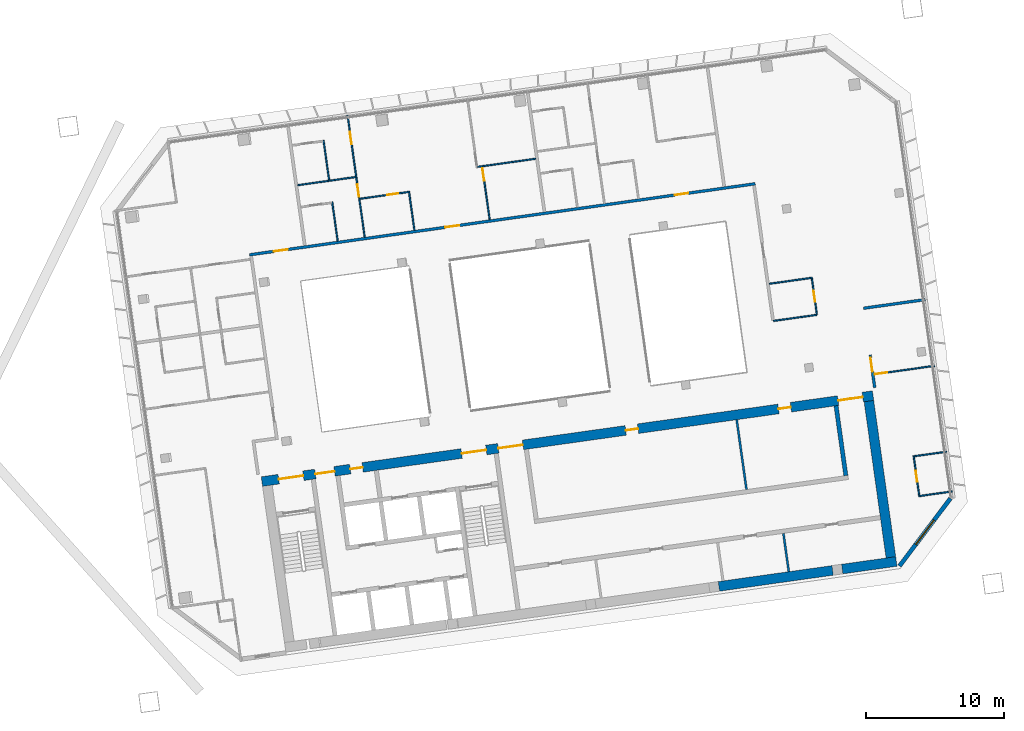
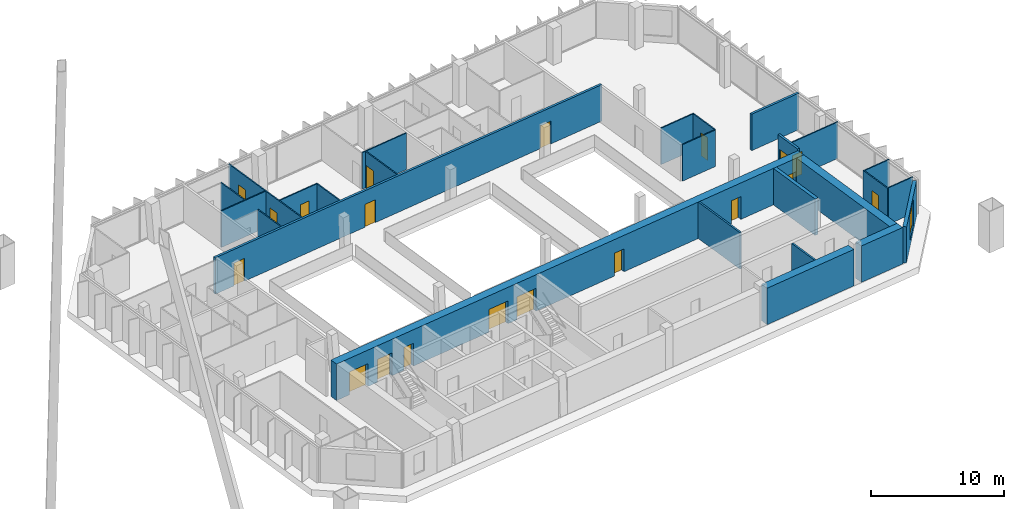
# One storey, part 22 of 26: 26 walls, 19 doors, 1 window, 20 openings.
"""IFC4 building model written with IfcOpenShell, lengths in metres."""

from ifc_helpers import new_model, si_unit, direction, frame, frame_2d, origin, place, context, subcontext, project, spatial, rectangle, extrude, material, layer, layer_set, type_object, element, fill, save


model = new_model("IFC4")

# Units and contexts
model_context = context("Model", 3, precision=1e-05, world=origin(), true_north=direction((0.0, 1.0)))
body_context = subcontext(model_context, "Body", "Model", "MODEL_VIEW")
ifc_project = project(units=[si_unit("LENGTHUNIT", "METRE"), si_unit("AREAUNIT", "SQUARE_METRE"), si_unit("VOLUMEUNIT", "CUBIC_METRE"), si_unit("PLANEANGLEUNIT", "RADIAN"), si_unit("MASSUNIT", "GRAM", prefix="KILO")], contexts=[model_context])

# Site, building, storey
site_placement = place(None, origin())
site = spatial("IfcSite", under=ifc_project, at=site_placement, CompositionType="ELEMENT")
building_placement = place(site_placement, origin())
building = spatial("IfcBuilding", under=site, at=building_placement, Name="Mirante Cascada Hotel Towers", CompositionType="ELEMENT")
storey_placement = place(building_placement, frame((0.0, 0.0, 203.0)))
storey = spatial("IfcBuildingStorey", under=building, at=storey_placement, Name="L48", CompositionType="ELEMENT", Elevation=203.0)

# Wall
ifc_material_1 = material(Name="Fire-rated plasterboard on metal studs")
ifc_layer_1 = layer(ifc_material_1, 0.2)
ifc_layer_set_1 = layer_set([ifc_layer_1], Name="Compartment wall 200 EI 120")
wall_type_1 = type_object("IfcWallType", Name="Compartment wall 200 EI 120", PredefinedType="PARTITIONING", material=ifc_layer_set_1)
wall_1_placement = place(storey_placement, frame((83.4745, 5.5153, 0.0), z_axis=(0.0, 0.0, 1.0), x_axis=(-0.9902705, -0.1391561, 0.0)))
element("IfcWall", 1, at=wall_1_placement, inside=storey, type_object=wall_type_1, Name="Wall 2-L48-10", PredefinedType="PARTITIONING", context=body_context, shape_type="SweptSolid", body=[
    extrude(rectangle(XDim=4.5, YDim=0.2, at=frame_2d((2.25, 0.0))), origin(), (0.0, 0.0, 1.0), 3.35),
])

# Wall, openings, doors
wall_2_placement = place(storey_placement, frame((71.1898, 13.8871, 0.0), z_axis=(0.0, 0.0, 1.0), x_axis=(-0.990268, -0.1391734, 0.0)))
wall_2 = element("IfcWall", 2, at=wall_2_placement, inside=storey, type_object=wall_type_1, Name="Wall 2-L48-18", PredefinedType="PARTITIONING", context=body_context, shape_type="SweptSolid", body=[
    extrude(rectangle(XDim=36.9, YDim=0.2, at=frame_2d((18.45, 0.0))), origin(), (0.0, 0.0, 1.0), 3.35),
])
opening_1_placement = place(wall_2_placement, frame((34.129, 0.0, 0.0)))
opening_1 = element("IfcOpeningElement", 3, at=opening_1_placement, cuts=wall_2, Name="Opening D2-L48-06", PredefinedType="OPENING", context=body_context, shape_type="SweptSolid", body=[
    extrude(rectangle(XDim=1.0, YDim=2.1, at=frame_2d((0.5, 1.05))), frame((0.0, 0.1, 0.0), z_axis=(0.0, -1.0, 0.0), x_axis=(1.0, 0.0, 0.0)), (0.0, 0.0, 1.0), 0.2),
])
opening_2_placement = place(wall_2_placement, frame((21.6119, 0.0, 0.0)))
opening_2 = element("IfcOpeningElement", 4, at=opening_2_placement, cuts=wall_2, Name="Opening D2-L48-07", PredefinedType="OPENING", context=body_context, shape_type="SweptSolid", body=[
    extrude(rectangle(XDim=1.0, YDim=2.1, at=frame_2d((0.5, 1.05))), frame((0.0, 0.1, 0.0), z_axis=(0.0, -1.0, 0.0), x_axis=(1.0, 0.0, 0.0)), (0.0, 0.0, 1.0), 0.2),
])
opening_3_placement = place(wall_2_placement, frame((4.8756, 0.0, 0.0)))
opening_3 = element("IfcOpeningElement", 5, at=opening_3_placement, cuts=wall_2, Name="Opening D2-L48-08", PredefinedType="OPENING", context=body_context, shape_type="SweptSolid", body=[
    extrude(rectangle(XDim=1.0, YDim=2.1, at=frame_2d((0.5, 1.05))), frame((0.0, 0.1, 0.0), z_axis=(0.0, -1.0, 0.0), x_axis=(1.0, 0.0, 0.0)), (0.0, 0.0, 1.0), 0.2),
])
ifc_material_2 = material(Name="Fire-rated timber door leaf", Category="wood")
door_type_1 = type_object("IfcDoorType", Name="Entrance door DG1 1000x2100 EI 60", OperationType="SINGLE_SWING_LEFT", PredefinedType="DOOR", material=ifc_material_2)
door_1_placement = place(opening_1_placement, frame((1.0, 0.0, 0.0), z_axis=(0.0, 0.0, 1.0), x_axis=(-1.0, 0.0, 0.0)))
door_1 = element("IfcDoor", 6, at=door_1_placement, inside=storey, type_object=door_type_1, Name="Door D2-L48-06", OperationType="SINGLE_SWING_RIGHT", OverallHeight=2.1, OverallWidth=1.0, PredefinedType="DOOR", context=body_context, shape_type="SweptSolid", body=[
    extrude(rectangle(XDim=1.0, YDim=2.1, at=frame_2d((0.5, 1.05))), frame((0.0, 0.025, 0.0), z_axis=(0.0, -1.0, 0.0), x_axis=(1.0, 0.0, 0.0)), (0.0, 0.0, 1.0), 0.05),
])
fill(opening_1, door_1)
door_2_placement = place(opening_2_placement, frame((1.0, 0.0, 0.0), z_axis=(0.0, 0.0, 1.0), x_axis=(-1.0, 0.0, 0.0)))
door_2 = element("IfcDoor", 7, at=door_2_placement, inside=storey, type_object=door_type_1, Name="Door D2-L48-07", OperationType="SINGLE_SWING_RIGHT", OverallHeight=2.1, OverallWidth=1.0, PredefinedType="DOOR", context=body_context, shape_type="SweptSolid", body=[
    extrude(rectangle(XDim=1.0, YDim=2.1, at=frame_2d((0.5, 1.05))), frame((0.0, 0.025, 0.0), z_axis=(0.0, -1.0, 0.0), x_axis=(1.0, 0.0, 0.0)), (0.0, 0.0, 1.0), 0.05),
])
fill(opening_2, door_2)
door_3_placement = place(opening_3_placement, frame((1.0, 0.0, 0.0), z_axis=(0.0, 0.0, 1.0), x_axis=(-1.0, 0.0, 0.0)))
door_3 = element("IfcDoor", 8, at=door_3_placement, inside=storey, type_object=door_type_1, Name="Door D2-L48-08", OperationType="SINGLE_SWING_RIGHT", OverallHeight=2.1, OverallWidth=1.0, PredefinedType="DOOR", context=body_context, shape_type="SweptSolid", body=[
    extrude(rectangle(XDim=1.0, YDim=2.1, at=frame_2d((0.5, 1.05))), frame((0.0, 0.025, 0.0), z_axis=(0.0, -1.0, 0.0), x_axis=(1.0, 0.0, 0.0)), (0.0, 0.0, 1.0), 0.05),
])
fill(opening_3, door_3)

# Wall, opening, door
wall_3_placement = place(storey_placement, frame((79.8255, -0.8545, 0.0), z_axis=(0.0, 0.0, 1.0), x_axis=(-0.1391635, 0.9902694, 0.0)))
wall_3 = element("IfcWall", 9, at=wall_3_placement, inside=storey, type_object=wall_type_1, Name="Wall 2-L48-55", PredefinedType="PARTITIONING", context=body_context, shape_type="SweptSolid", body=[
    extrude(rectangle(XDim=2.4001, YDim=0.2, at=frame_2d((1.2, 0.0))), origin(), (0.0, 0.0, 1.0), 3.35),
])
opening_4_placement = place(wall_3_placement, frame((1.1833, 0.0, 0.0)))
opening_4 = element("IfcOpeningElement", 10, at=opening_4_placement, cuts=wall_3, Name="Opening D2-L48-33", PredefinedType="OPENING", context=body_context, shape_type="SweptSolid", body=[
    extrude(rectangle(XDim=1.0, YDim=2.1, at=frame_2d((0.5, 1.05))), frame((0.0, 0.1, 0.0), z_axis=(0.0, -1.0, 0.0), x_axis=(1.0, 0.0, 0.0)), (0.0, 0.0, 1.0), 0.2),
])
door_4_placement = place(opening_4_placement, frame((1.0, 0.0, 0.0), z_axis=(0.0, 0.0, 1.0), x_axis=(-1.0, 0.0, 0.0)))
door_4 = element("IfcDoor", 11, at=door_4_placement, inside=storey, type_object=door_type_1, Name="Door D2-L48-33", OperationType="SINGLE_SWING_RIGHT", OverallHeight=2.1, OverallWidth=1.0, PredefinedType="DOOR", context=body_context, shape_type="SweptSolid", body=[
    extrude(rectangle(XDim=1.0, YDim=2.1, at=frame_2d((0.5, 1.05))), frame((0.0, 0.025, 0.0), z_axis=(0.0, -1.0, 0.0), x_axis=(1.0, 0.0, 0.0)), (0.0, 0.0, 1.0), 0.05),
])
fill(opening_4, door_4)

# Walls
ifc_material_3 = material(Name="Masonry block", Category="masonry")
ifc_layer_2 = layer(ifc_material_3, 0.15)
ifc_layer_set_2 = layer_set([ifc_layer_2], Name="Core room partition 150 block EI 30")
wall_type_2 = type_object("IfcWallType", Name="Core room partition 150 block EI 30", PredefinedType="PARTITIONING", material=ifc_layer_set_2)
wall_4_placement = place(storey_placement, frame((73.6152, -14.1482, 0.0), z_axis=(0.0, 0.0, 1.0), x_axis=(-0.139176, 0.9902677, 0.0)))
element("IfcWall", 12, at=wall_4_placement, inside=storey, type_object=wall_type_2, Name="Core wall partition T2 L48 7", PredefinedType="PARTITIONING", context=body_context, shape_type="SweptSolid", body=[
    extrude(rectangle(XDim=2.8001, YDim=0.15, at=frame_2d((1.4, 0.0))), origin(), (0.0, 0.0, 1.0), 3.35),
])
wall_5_placement = place(storey_placement, frame((70.5598, -8.2157, 0.0), z_axis=(0.0, 0.0, 1.0), x_axis=(-0.1391755, 0.9902677, 0.0)))
element("IfcWall", 13, at=wall_5_placement, inside=storey, type_object=wall_type_2, Name="Core wall partition T2 L48 8", PredefinedType="PARTITIONING", context=body_context, shape_type="SweptSolid", body=[
    extrude(rectangle(XDim=5.1, YDim=0.15, at=frame_2d((2.55, 0.0))), origin(), (0.0, 0.0, 1.0), 3.35),
])
ifc_material_4 = material(Name="Plasterboard on metal studs")
ifc_layer_3 = layer(ifc_material_4, 0.1)
ifc_layer_set_3 = layer_set([ifc_layer_3], Name="Partition 100")
wall_type_3 = type_object("IfcWallType", Name="Partition 100", PredefinedType="PARTITIONING", material=ifc_layer_set_3)
for number, where, z_axis, x_axis, name in (
    (14, (83.0958, -8.6755, 0.0), (0.0, 0.0, 1.0), (0.9902653, 0.1391929, 0.0), "Wall 2-L48-03"),
    (15, (85.0193, -5.4766, 0.0), (0.0, 0.0, 1.0), (-0.9902653, -0.1391929, 0.0), "Wall 2-L48-04"),
):
    element("IfcWall", number, at=place(storey_placement, frame(where, z_axis=z_axis, x_axis=x_axis)), inside=storey, type_object=wall_type_3, Name=name, PredefinedType="PARTITIONING", context=body_context, shape_type="SweptSolid", body=[
        extrude(rectangle(XDim=2.35, YDim=0.1, at=frame_2d((1.175, 0.0))), origin(), (0.0, 0.0, 1.0), 3.35),
    ])

# Wall, opening, door
wall_6_placement = place(storey_placement, frame((84.1471, 0.7291, 0.0), z_axis=(0.0, 0.0, 1.0), x_axis=(-0.9902665, -0.1391841, 0.0)))
wall_6 = element("IfcWall", 16, at=wall_6_placement, inside=storey, type_object=wall_type_3, Name="Wall 2-L48-06", PredefinedType="PARTITIONING", context=body_context, shape_type="SweptSolid", body=[
    extrude(rectangle(XDim=4.3999, YDim=0.1, at=frame_2d((2.2, 0.0))), origin(), (0.0, 0.0, 1.0), 3.35),
])
opening_5_placement = place(wall_6_placement, frame((3.45, 0.0, 0.0)))
opening_5 = element("IfcOpeningElement", 17, at=opening_5_placement, cuts=wall_6, Name="Opening D2-L48-01", PredefinedType="OPENING", context=body_context, shape_type="SweptSolid", body=[
    extrude(rectangle(XDim=0.9, YDim=2.1, at=frame_2d((0.45, 1.05))), frame((0.0, 0.05, 0.0), z_axis=(0.0, -1.0, 0.0), x_axis=(1.0, 0.0, 0.0)), (0.0, 0.0, 1.0), 0.1),
])
ifc_material_5 = material(Name="Timber door leaf", Category="wood")
door_type_2 = type_object("IfcDoorType", Name="Room door DG3 900x2100", OperationType="SINGLE_SWING_LEFT", PredefinedType="DOOR", material=ifc_material_5)
door_5_placement = place(opening_5_placement, origin())
door_5 = element("IfcDoor", 18, at=door_5_placement, inside=storey, type_object=door_type_2, Name="Door D2-L48-01", OperationType="SINGLE_SWING_LEFT", OverallHeight=2.1, OverallWidth=0.9, PredefinedType="DOOR", context=body_context, shape_type="SweptSolid", body=[
    extrude(rectangle(XDim=0.9, YDim=2.1, at=frame_2d((0.45, 1.05))), frame((0.0, 0.025, 0.0), z_axis=(0.0, -1.0, 0.0), x_axis=(1.0, 0.0, 0.0)), (0.0, 0.0, 1.0), 0.05),
])
fill(opening_5, door_5)

# Walls
wall_7_placement = place(storey_placement, frame((72.5122, 3.9747, 0.0), z_axis=(0.0, 0.0, 1.0), x_axis=(0.990268, 0.1391738, 0.0)))
element("IfcWall", 19, at=wall_7_placement, inside=storey, type_object=wall_type_3, Name="Wall 2-L48-09", PredefinedType="PARTITIONING", context=body_context, shape_type="SweptSolid", body=[
    extrude(rectangle(XDim=3.14, YDim=0.1, at=frame_2d((1.57, 0.0))), origin(), (0.0, 0.0, 1.0), 3.35),
])
wall_8_placement = place(storey_placement, frame((72.2058, 6.6582, 0.0), z_axis=(0.0, 0.0, 1.0), x_axis=(0.9902676, 0.1391765, 0.0)))
element("IfcWall", 20, at=wall_8_placement, inside=storey, type_object=wall_type_3, Name="Wall 2-L48-13", PredefinedType="PARTITIONING", context=body_context, shape_type="SweptSolid", body=[
    extrude(rectangle(XDim=3.15, YDim=0.1, at=frame_2d((1.575, 0.0))), origin(), (0.0, 0.0, 1.0), 3.35),
])

# Wall, opening, door
wall_9_placement = place(storey_placement, frame((46.2195, 13.3063, 0.0), z_axis=(0.0, 0.0, 1.0), x_axis=(-0.9902668, -0.1391822, 0.0)))
wall_9 = element("IfcWall", 21, at=wall_9_placement, inside=storey, type_object=wall_type_3, Name="Wall 2-L48-20", PredefinedType="PARTITIONING", context=body_context, shape_type="SweptSolid", body=[
    extrude(rectangle(XDim=3.6269, YDim=0.1, at=frame_2d((1.8134, 0.0))), origin(), (0.0, 0.0, 1.0), 3.35),
])
opening_6_placement = place(wall_9_placement, frame((0.85, 0.0, 0.0)))
opening_6 = element("IfcOpeningElement", 22, at=opening_6_placement, cuts=wall_9, Name="Opening D2-L48-10", PredefinedType="OPENING", context=body_context, shape_type="SweptSolid", body=[
    extrude(rectangle(XDim=0.8, YDim=2.1, at=frame_2d((0.4, 1.05))), frame((0.0, 0.05, 0.0), z_axis=(0.0, -1.0, 0.0), x_axis=(1.0, 0.0, 0.0)), (0.0, 0.0, 1.0), 0.1),
])
ifc_material_6 = material(Name="Timber door leaf", Category="wood")
door_type_3 = type_object("IfcDoorType", Name="Bathroom door DG4 800x2100", OperationType="SINGLE_SWING_LEFT", PredefinedType="DOOR", material=ifc_material_6)
door_6_placement = place(opening_6_placement, frame((0.8, 0.0, 0.0), z_axis=(0.0, 0.0, 1.0), x_axis=(-1.0, 0.0, 0.0)))
door_6 = element("IfcDoor", 23, at=door_6_placement, inside=storey, type_object=door_type_3, Name="Door D2-L48-10", OperationType="SINGLE_SWING_RIGHT", OverallHeight=2.1, OverallWidth=0.8, PredefinedType="DOOR", context=body_context, shape_type="SweptSolid", body=[
    extrude(rectangle(XDim=0.8, YDim=2.1, at=frame_2d((0.4, 1.05))), frame((0.0, 0.025, 0.0), z_axis=(0.0, -1.0, 0.0), x_axis=(1.0, 0.0, 0.0)), (0.0, 0.0, 1.0), 0.05),
])
fill(opening_6, door_6)

# Walls
for number, where, z_axis, x_axis, name in (
    (24, (51.136, 15.1081, 0.0), (0.0, 0.0, 1.0), (0.9902694, 0.1391634, 0.0), "Wall 2-L48-23"),
    (25, (42.3062, 14.372, 0.0), (0.0, 0.0, 1.0), (-0.9902694, -0.1391634, 0.0), "Wall 2-L48-26"),
):
    element("IfcWall", number, at=place(storey_placement, frame(where, z_axis=z_axis, x_axis=x_axis)), inside=storey, type_object=wall_type_3, Name=name, PredefinedType="PARTITIONING", context=body_context, shape_type="SweptSolid", body=[
        extrude(rectangle(XDim=4.2231, YDim=0.1, at=frame_2d((2.1115, 0.0))), origin(), (0.0, 0.0, 1.0), 3.35),
    ])
wall_10_placement = place(storey_placement, frame((40.6176, 12.5695, 0.0), z_axis=(0.0, 0.0, 1.0), x_axis=(0.1391564, -0.9902704, 0.0)))
element("IfcWall", 26, at=wall_10_placement, inside=storey, type_object=wall_type_3, Name="Wall 2-L48-40", PredefinedType="PARTITIONING", context=body_context, shape_type="SweptSolid", body=[
    extrude(rectangle(XDim=2.85, YDim=0.1, at=frame_2d((1.425, 0.0))), origin(), (0.0, 0.0, 1.0), 3.35),
])
wall_11_placement = place(storey_placement, frame((40.3949, 14.1539, 0.0), z_axis=(0.0, 0.0, 1.0), x_axis=(-0.1391714, 0.9902683, 0.0)))
element("IfcWall", 27, at=wall_11_placement, inside=storey, type_object=wall_type_3, Name="Wall 2-L48-41", PredefinedType="PARTITIONING", context=body_context, shape_type="SweptSolid", body=[
    extrude(rectangle(XDim=2.9, YDim=0.1, at=frame_2d((1.45, 0.0))), origin(), (0.0, 0.0, 1.0), 3.35),
])

# Wall, openings, doors
wall_12_placement = place(storey_placement, frame((41.7295, 18.8352, 0.0), z_axis=(0.0, 0.0, 1.0), x_axis=(0.1391684, -0.9902687, 0.0)))
wall_12 = element("IfcWall", 28, at=wall_12_placement, inside=storey, type_object=wall_type_3, Name="Wall 2-L48-42", PredefinedType="PARTITIONING", context=body_context, shape_type="SweptSolid", body=[
    extrude(rectangle(XDim=8.9, YDim=0.1, at=frame_2d((4.45, 0.0))), origin(), (0.0, 0.0, 1.0), 3.35),
])
opening_7_placement = place(wall_12_placement, frame((5.05, 0.0, 0.0)))
opening_7 = element("IfcOpeningElement", 29, at=opening_7_placement, cuts=wall_12, Name="Opening D2-L48-25", PredefinedType="OPENING", context=body_context, shape_type="SweptSolid", body=[
    extrude(rectangle(XDim=0.9, YDim=2.1, at=frame_2d((0.45, 1.05))), frame((0.0, 0.05, 0.0), z_axis=(0.0, -1.0, 0.0), x_axis=(1.0, 0.0, 0.0)), (0.0, 0.0, 1.0), 0.1),
])
opening_8_placement = place(wall_12_placement, frame((1.2, 0.0, 0.0)))
opening_8 = element("IfcOpeningElement", 30, at=opening_8_placement, cuts=wall_12, Name="Opening D2-L48-26", PredefinedType="OPENING", context=body_context, shape_type="SweptSolid", body=[
    extrude(rectangle(XDim=0.9, YDim=2.1, at=frame_2d((0.45, 1.05))), frame((0.0, 0.05, 0.0), z_axis=(0.0, -1.0, 0.0), x_axis=(1.0, 0.0, 0.0)), (0.0, 0.0, 1.0), 0.1),
])
door_7_placement = place(opening_7_placement, origin())
door_7 = element("IfcDoor", 31, at=door_7_placement, inside=storey, type_object=door_type_2, Name="Door D2-L48-25", OperationType="SINGLE_SWING_LEFT", OverallHeight=2.1, OverallWidth=0.9, PredefinedType="DOOR", context=body_context, shape_type="SweptSolid", body=[
    extrude(rectangle(XDim=0.9, YDim=2.1, at=frame_2d((0.45, 1.05))), frame((0.0, 0.025, 0.0), z_axis=(0.0, -1.0, 0.0), x_axis=(1.0, 0.0, 0.0)), (0.0, 0.0, 1.0), 0.05),
])
fill(opening_7, door_7)
door_8_placement = place(opening_8_placement, origin())
door_8 = element("IfcDoor", 32, at=door_8_placement, inside=storey, type_object=door_type_2, Name="Door D2-L48-26", OperationType="SINGLE_SWING_LEFT", OverallHeight=2.1, OverallWidth=0.9, PredefinedType="DOOR", context=body_context, shape_type="SweptSolid", body=[
    extrude(rectangle(XDim=0.9, YDim=2.1, at=frame_2d((0.45, 1.05))), frame((0.0, 0.025, 0.0), z_axis=(0.0, -1.0, 0.0), x_axis=(1.0, 0.0, 0.0)), (0.0, 0.0, 1.0), 0.05),
])
fill(opening_8, door_8)

# Wall
wall_13_placement = place(storey_placement, frame((46.5597, 10.5266, 0.0), z_axis=(0.0, 0.0, 1.0), x_axis=(-0.1391657, 0.9902691, 0.0)))
element("IfcWall", 33, at=wall_13_placement, inside=storey, type_object=wall_type_3, Name="Wall 2-L48-43", PredefinedType="PARTITIONING", context=body_context, shape_type="SweptSolid", body=[
    extrude(rectangle(XDim=2.75, YDim=0.1, at=frame_2d((1.375, 0.0))), origin(), (0.0, 0.0, 1.0), 3.35),
])

# Wall, opening, door
wall_14_placement = place(storey_placement, frame((51.9987, 11.291, 0.0), z_axis=(0.0, 0.0, 1.0), x_axis=(-0.1391701, 0.9902685, 0.0)))
wall_14 = element("IfcWall", 34, at=wall_14_placement, inside=storey, type_object=wall_type_3, Name="Wall 2-L48-45", PredefinedType="PARTITIONING", context=body_context, shape_type="SweptSolid", body=[
    extrude(rectangle(XDim=3.85, YDim=0.1, at=frame_2d((1.925, 0.0))), origin(), (0.0, 0.0, 1.0), 3.35),
])
opening_9_placement = place(wall_14_placement, frame((2.85, 0.0, 0.0)))
opening_9 = element("IfcOpeningElement", 35, at=opening_9_placement, cuts=wall_14, Name="Opening D2-L48-28", PredefinedType="OPENING", context=body_context, shape_type="SweptSolid", body=[
    extrude(rectangle(XDim=0.9, YDim=2.1, at=frame_2d((0.45, 1.05))), frame((0.0, 0.05, 0.0), z_axis=(0.0, -1.0, 0.0), x_axis=(1.0, 0.0, 0.0)), (0.0, 0.0, 1.0), 0.1),
])
door_9_placement = place(opening_9_placement, origin())
door_9 = element("IfcDoor", 36, at=door_9_placement, inside=storey, type_object=door_type_2, Name="Door D2-L48-28", OperationType="SINGLE_SWING_LEFT", OverallHeight=2.1, OverallWidth=0.9, PredefinedType="DOOR", context=body_context, shape_type="SweptSolid", body=[
    extrude(rectangle(XDim=0.9, YDim=2.1, at=frame_2d((0.45, 1.05))), frame((0.0, 0.025, 0.0), z_axis=(0.0, -1.0, 0.0), x_axis=(1.0, 0.0, 0.0)), (0.0, 0.0, 1.0), 0.05),
])
fill(opening_9, door_9)

wall_15_placement = place(storey_placement, frame((75.2825, 7.0401, 0.0), z_axis=(0.0, 0.0, 1.0), x_axis=(0.1391918, -0.9902654, 0.0)))
wall_15 = element("IfcWall", 37, at=wall_15_placement, inside=storey, type_object=wall_type_3, Name="Wall 2-L48-54", PredefinedType="PARTITIONING", context=body_context, shape_type="SweptSolid", body=[
    extrude(rectangle(XDim=2.6, YDim=0.1, at=frame_2d((1.3, 0.0))), origin(), (0.0, 0.0, 1.0), 3.35),
])
opening_10_placement = place(wall_15_placement, frame((0.9, 0.0, 0.0)))
opening_10 = element("IfcOpeningElement", 38, at=opening_10_placement, cuts=wall_15, Name="Opening D2-L48-32", PredefinedType="OPENING", context=body_context, shape_type="SweptSolid", body=[
    extrude(rectangle(XDim=0.8, YDim=2.1, at=frame_2d((0.4, 1.05))), frame((0.0, 0.05, 0.0), z_axis=(0.0, -1.0, 0.0), x_axis=(1.0, 0.0, 0.0)), (0.0, 0.0, 1.0), 0.1),
])
door_10_placement = place(opening_10_placement, origin())
door_10 = element("IfcDoor", 39, at=door_10_placement, inside=storey, type_object=door_type_3, Name="Door D2-L48-32", OperationType="SINGLE_SWING_LEFT", OverallHeight=2.1, OverallWidth=0.8, PredefinedType="DOOR", context=body_context, shape_type="SweptSolid", body=[
    extrude(rectangle(XDim=0.8, YDim=2.1, at=frame_2d((0.4, 1.05))), frame((0.0, 0.025, 0.0), z_axis=(0.0, -1.0, 0.0), x_axis=(1.0, 0.0, 0.0)), (0.0, 0.0, 1.0), 0.05),
])
fill(opening_10, door_10)

wall_16_placement = place(storey_placement, frame((82.6357, -5.7611, 0.0), z_axis=(0.0, 0.0, 1.0), x_axis=(0.139167, -0.9902689, 0.0)))
wall_16 = element("IfcWall", 40, at=wall_16_placement, inside=storey, type_object=wall_type_3, Name="Wall 2-L48-56", PredefinedType="PARTITIONING", context=body_context, shape_type="SweptSolid", body=[
    extrude(rectangle(XDim=3.0, YDim=0.1, at=frame_2d((1.5, 0.0))), origin(), (0.0, 0.0, 1.0), 3.35),
])
opening_11_placement = place(wall_16_placement, frame((1.1, 0.0, 0.0)))
opening_11 = element("IfcOpeningElement", 41, at=opening_11_placement, cuts=wall_16, Name="Opening D2-L48-34", PredefinedType="OPENING", context=body_context, shape_type="SweptSolid", body=[
    extrude(rectangle(XDim=0.8, YDim=2.1, at=frame_2d((0.4, 1.05))), frame((0.0, 0.05, 0.0), z_axis=(0.0, -1.0, 0.0), x_axis=(1.0, 0.0, 0.0)), (0.0, 0.0, 1.0), 0.1),
])
door_11_placement = place(opening_11_placement, frame((0.8, 0.0, 0.0), z_axis=(0.0, 0.0, 1.0), x_axis=(-1.0, 0.0, 0.0)))
door_11 = element("IfcDoor", 42, at=door_11_placement, inside=storey, type_object=door_type_3, Name="Door D2-L48-34", OperationType="SINGLE_SWING_RIGHT", OverallHeight=2.1, OverallWidth=0.8, PredefinedType="DOOR", context=body_context, shape_type="SweptSolid", body=[
    extrude(rectangle(XDim=0.8, YDim=2.1, at=frame_2d((0.4, 1.05))), frame((0.0, 0.025, 0.0), z_axis=(0.0, -1.0, 0.0), x_axis=(1.0, 0.0, 0.0)), (0.0, 0.0, 1.0), 0.05),
])
fill(opening_11, door_11)

# Wall, opening, window
ifc_material_7 = material(Name="Precast concrete C40/50", Category="concrete")
ifc_layer_4 = layer(ifc_material_7, 0.3)
ifc_layer_set_4 = layer_set([ifc_layer_4], Name="Precast concrete C40/50 cladding wall 300")
wall_type_4 = type_object("IfcWallType", Name="Precast concrete C40/50 cladding wall 300", PredefinedType="STANDARD", material=ifc_layer_set_4)
wall_17_placement = place(storey_placement, frame((81.6175, -13.7366, 0.0), z_axis=(0.0, 0.0, 1.0), x_axis=(0.6018141, 0.7986362, 0.0)))
wall_17 = element("IfcWall", 43, at=wall_17_placement, inside=storey, type_object=wall_type_4, Name="Corner cladding wall T2 L48 rear outer", PredefinedType="STANDARD", context=body_context, shape_type="SweptSolid", body=[
    extrude(rectangle(XDim=6.1157, YDim=0.3, at=frame_2d((3.0578, 0.0))), origin(), (0.0, 0.0, 1.0), 3.35),
])
opening_12_placement = place(wall_17_placement, frame((1.9578, 0.0, 0.6)))
opening_12 = element("IfcOpeningElement", 44, at=opening_12_placement, cuts=wall_17, Name="Opening W2-48-01", PredefinedType="OPENING", context=body_context, shape_type="SweptSolid", body=[
    extrude(rectangle(XDim=2.2, YDim=2.4, at=frame_2d((1.1, 1.2))), frame((0.0, 0.15, 0.0), z_axis=(0.0, -1.0, 0.0), x_axis=(1.0, 0.0, 0.0)), (0.0, 0.0, 1.0), 0.3),
])
ifc_material_8 = material(Name="Aluminium frame with clear double glazing", Category="aluminium")
window_type = type_object("IfcWindowType", Name="Corner suite window 2200x2400", PartitioningType="DOUBLE_PANEL_VERTICAL", PredefinedType="WINDOW", material=ifc_material_8)
window_placement = place(opening_12_placement, origin())
window = element("IfcWindow", 45, at=window_placement, inside=storey, type_object=window_type, Name="Window W2-48-01", OverallHeight=2.4, OverallWidth=2.2, PartitioningType="SINGLE_PANEL", PredefinedType="WINDOW", context=body_context, shape_type="SweptSolid", body=[
    extrude(rectangle(XDim=2.2, YDim=2.4, at=frame_2d((1.1, 1.2))), frame((0.0, 0.03, 0.0), z_axis=(0.0, -1.0, 0.0), x_axis=(1.0, 0.0, 0.0)), (0.0, 0.0, 1.0), 0.06),
])
fill(opening_12, window)

# Walls
ifc_material_9 = material(Name="Concrete C50/60", Category="concrete")
ifc_layer_5 = layer(ifc_material_9, 0.3)
ifc_layer_set_5 = layer_set([ifc_layer_5], Name="RC core wall 300 C50/60")
wall_type_5 = type_object("IfcWallType", Name="RC core wall 300 C50/60", PredefinedType="SHEAR", material=ifc_layer_set_5)
wall_18_placement = place(storey_placement, frame((77.7392, -7.2067, 0.0), z_axis=(0.0, 0.0, 1.0), x_axis=(-0.1391755, 0.9902677, 0.0)))
element("IfcWall", 46, at=wall_18_placement, inside=storey, type_object=wall_type_5, Name="Core wall T2:L48:28", PredefinedType="SHEAR", context=body_context, shape_type="SweptSolid", body=[
    extrude(rectangle(XDim=5.1, YDim=0.3, at=frame_2d((2.55, 0.0))), origin(), (0.0, 0.0, 1.0), 3.35),
])
ifc_material_10 = material(Name="Concrete C50/60", Category="concrete")
ifc_layer_6 = layer(ifc_material_10, 0.7)
ifc_layer_set_6 = layer_set([ifc_layer_6], Name="RC core wall 700 C50/60")
wall_type_6 = type_object("IfcWallType", Name="RC core wall 700 C50/60", PredefinedType="SHEAR", material=ifc_layer_set_6)
wall_19_placement = place(storey_placement, frame((68.564, -15.2115, 0.0), z_axis=(0.0, 0.0, 1.0), x_axis=(0.9902686, 0.1391692, 0.0)))
element("IfcWall", 47, at=wall_19_placement, inside=storey, type_object=wall_type_6, Name="Core wall T2:L48:1.5", PredefinedType="SHEAR", context=body_context, shape_type="SweptSolid", body=[
    extrude(rectangle(XDim=8.3, YDim=0.7, at=frame_2d((4.15, 0.0))), origin(), (0.0, 0.0, 1.0), 3.35),
])
wall_20_placement = place(storey_placement, frame((77.4764, -13.9589, 0.0), z_axis=(0.0, 0.0, 1.0), x_axis=(0.9902694, 0.1391633, 0.0)))
element("IfcWall", 48, at=wall_20_placement, inside=storey, type_object=wall_type_6, Name="Core wall T2:L48:1.6", PredefinedType="SHEAR", context=body_context, shape_type="SweptSolid", body=[
    extrude(rectangle(XDim=3.95, YDim=0.7, at=frame_2d((1.975, 0.0))), origin(), (0.0, 0.0, 1.0), 3.35),
])

# Wall, openings, doors
wall_21_placement = place(storey_placement, frame((35.538, -7.6341, 0.0), z_axis=(0.0, 0.0, 1.0), x_axis=(0.9902682, 0.1391725, 0.0)))
wall_21 = element("IfcWall", 49, at=wall_21_placement, inside=storey, type_object=wall_type_6, Name="Core wall T2:L48:2", PredefinedType="SHEAR", context=body_context, shape_type="SweptSolid", body=[
    extrude(rectangle(XDim=44.6, YDim=0.7, at=frame_2d((22.3, 0.0))), origin(), (0.0, 0.0, 1.0), 3.35),
])
opening_13_placement = place(wall_21_placement, frame((1.225, 0.0, 0.0)))
opening_13 = element("IfcOpeningElement", 50, at=opening_13_placement, cuts=wall_21, Name="Opening D2-48-C08", PredefinedType="OPENING", context=body_context, shape_type="SweptSolid", body=[
    extrude(rectangle(XDim=1.8, YDim=2.1, at=frame_2d((0.9, 1.05))), frame((0.0, 0.35, 0.0), z_axis=(0.0, -1.0, 0.0), x_axis=(1.0, 0.0, 0.0)), (0.0, 0.0, 1.0), 0.7),
])
opening_14_placement = place(wall_21_placement, frame((14.575, 0.0, 0.0)))
opening_14 = element("IfcOpeningElement", 51, at=opening_14_placement, cuts=wall_21, Name="Opening D2-48-C10", PredefinedType="OPENING", context=body_context, shape_type="SweptSolid", body=[
    extrude(rectangle(XDim=1.8, YDim=2.1, at=frame_2d((0.9, 1.05))), frame((0.0, 0.35, 0.0), z_axis=(0.0, -1.0, 0.0), x_axis=(1.0, 0.0, 0.0)), (0.0, 0.0, 1.0), 0.7),
])
opening_15_placement = place(wall_21_placement, frame((3.9, 0.0, 0.0)))
opening_15 = element("IfcOpeningElement", 52, at=opening_15_placement, cuts=wall_21, Name="Opening D2-48-C11", PredefinedType="OPENING", context=body_context, shape_type="SweptSolid", body=[
    extrude(rectangle(XDim=1.4, YDim=2.1, at=frame_2d((0.7, 1.05))), frame((0.0, 0.35, 0.0), z_axis=(0.0, -1.0, 0.0), x_axis=(1.0, 0.0, 0.0)), (0.0, 0.0, 1.0), 0.7),
])
opening_16_placement = place(wall_21_placement, frame((17.25, 0.0, 0.0)))
opening_16 = element("IfcOpeningElement", 53, at=opening_16_placement, cuts=wall_21, Name="Opening D2-48-C12", PredefinedType="OPENING", context=body_context, shape_type="SweptSolid", body=[
    extrude(rectangle(XDim=1.8, YDim=2.1, at=frame_2d((0.9, 1.05))), frame((0.0, 0.35, 0.0), z_axis=(0.0, -1.0, 0.0), x_axis=(1.0, 0.0, 0.0)), (0.0, 0.0, 1.0), 0.7),
])
opening_17_placement = place(wall_21_placement, frame((42.05, 0.0, 0.0)))
opening_17 = element("IfcOpeningElement", 54, at=opening_17_placement, cuts=wall_21, Name="Opening D2-48-C13", PredefinedType="OPENING", context=body_context, shape_type="SweptSolid", body=[
    extrude(rectangle(XDim=1.8, YDim=2.1, at=frame_2d((0.9, 1.05))), frame((0.0, 0.35, 0.0), z_axis=(0.0, -1.0, 0.0), x_axis=(1.0, 0.0, 0.0)), (0.0, 0.0, 1.0), 0.7),
])
opening_18_placement = place(wall_21_placement, frame((6.45, 0.0, 0.0)))
opening_18 = element("IfcOpeningElement", 55, at=opening_18_placement, cuts=wall_21, Name="Opening D2-48-C16", PredefinedType="OPENING", context=body_context, shape_type="SweptSolid", body=[
    extrude(rectangle(XDim=0.9, YDim=2.1, at=frame_2d((0.45, 1.05))), frame((0.0, 0.35, 0.0), z_axis=(0.0, -1.0, 0.0), x_axis=(1.0, 0.0, 0.0)), (0.0, 0.0, 1.0), 0.7),
])
opening_19_placement = place(wall_21_placement, frame((26.55, 0.0, 0.0)))
opening_19 = element("IfcOpeningElement", 56, at=opening_19_placement, cuts=wall_21, Name="Opening D2-48-C21", PredefinedType="OPENING", context=body_context, shape_type="SweptSolid", body=[
    extrude(rectangle(XDim=0.9, YDim=2.1, at=frame_2d((0.45, 1.05))), frame((0.0, 0.35, 0.0), z_axis=(0.0, -1.0, 0.0), x_axis=(1.0, 0.0, 0.0)), (0.0, 0.0, 1.0), 0.7),
])
opening_20_placement = place(wall_21_placement, frame((37.7, 0.0, 0.0)))
opening_20 = element("IfcOpeningElement", 57, at=opening_20_placement, cuts=wall_21, Name="Opening D2-48-C22", PredefinedType="OPENING", context=body_context, shape_type="SweptSolid", body=[
    extrude(rectangle(XDim=0.9, YDim=2.1, at=frame_2d((0.45, 1.05))), frame((0.0, 0.35, 0.0), z_axis=(0.0, -1.0, 0.0), x_axis=(1.0, 0.0, 0.0)), (0.0, 0.0, 1.0), 0.7),
])
ifc_material_11 = material(Name="Hollow metal fire door leaf")
door_type_4 = type_object("IfcDoorType", Name="Double fire door 1400x2100 FD60", OperationType="DOUBLE_DOOR_SINGLE_SWING", PredefinedType="DOOR", material=ifc_material_11)
door_12_placement = place(opening_15_placement, origin())
door_12 = element("IfcDoor", 58, at=door_12_placement, inside=storey, type_object=door_type_4, Name="Exit door to gallery T2 L48 11", OperationType="DOUBLE_DOOR_SINGLE_SWING", OverallHeight=2.1, OverallWidth=1.4, PredefinedType="DOOR", context=body_context, shape_type="SweptSolid", body=[
    extrude(rectangle(XDim=0.695, YDim=2.1, at=frame_2d((0.3475, 1.05))), frame((0.0, 0.025, 0.0), z_axis=(0.0, -1.0, 0.0), x_axis=(1.0, 0.0, 0.0)), (0.0, 0.0, 1.0), 0.05),
    extrude(rectangle(XDim=0.695, YDim=2.1, at=frame_2d((1.0525, 1.05))), frame((0.0, 0.025, 0.0), z_axis=(0.0, -1.0, 0.0), x_axis=(1.0, 0.0, 0.0)), (0.0, 0.0, 1.0), 0.05),
])
fill(opening_15, door_12)
ifc_material_12 = material(Name="Hollow metal fire door leaf")
door_type_5 = type_object("IfcDoorType", Name="Double fire door 1800x2100 FD60", OperationType="DOUBLE_DOOR_SINGLE_SWING", PredefinedType="DOOR", material=ifc_material_12)
door_13_placement = place(opening_13_placement, frame((1.8, 0.0, 0.0), z_axis=(0.0, 0.0, 1.0), x_axis=(-1.0, 0.0, 0.0)))
door_13 = element("IfcDoor", 59, at=door_13_placement, inside=storey, type_object=door_type_5, Name="Exit door to gallery T2 L48 8", OperationType="DOUBLE_DOOR_SINGLE_SWING", OverallHeight=2.1, OverallWidth=1.8, PredefinedType="DOOR", context=body_context, shape_type="SweptSolid", body=[
    extrude(rectangle(XDim=0.895, YDim=2.1, at=frame_2d((0.4475, 1.05))), frame((0.0, 0.025, 0.0), z_axis=(0.0, -1.0, 0.0), x_axis=(1.0, 0.0, 0.0)), (0.0, 0.0, 1.0), 0.05),
    extrude(rectangle(XDim=0.895, YDim=2.1, at=frame_2d((1.3525, 1.05))), frame((0.0, 0.025, 0.0), z_axis=(0.0, -1.0, 0.0), x_axis=(1.0, 0.0, 0.0)), (0.0, 0.0, 1.0), 0.05),
])
fill(opening_13, door_13)
door_14_placement = place(opening_14_placement, frame((1.8, 0.0, 0.0), z_axis=(0.0, 0.0, 1.0), x_axis=(-1.0, 0.0, 0.0)))
door_14 = element("IfcDoor", 60, at=door_14_placement, inside=storey, type_object=door_type_5, Name="Exit door to gallery T2 L48 10", OperationType="DOUBLE_DOOR_SINGLE_SWING", OverallHeight=2.1, OverallWidth=1.8, PredefinedType="DOOR", context=body_context, shape_type="SweptSolid", body=[
    extrude(rectangle(XDim=0.895, YDim=2.1, at=frame_2d((0.4475, 1.05))), frame((0.0, 0.025, 0.0), z_axis=(0.0, -1.0, 0.0), x_axis=(1.0, 0.0, 0.0)), (0.0, 0.0, 1.0), 0.05),
    extrude(rectangle(XDim=0.895, YDim=2.1, at=frame_2d((1.3525, 1.05))), frame((0.0, 0.025, 0.0), z_axis=(0.0, -1.0, 0.0), x_axis=(1.0, 0.0, 0.0)), (0.0, 0.0, 1.0), 0.05),
])
fill(opening_14, door_14)
door_15_placement = place(opening_16_placement, origin())
door_15 = element("IfcDoor", 61, at=door_15_placement, inside=storey, type_object=door_type_5, Name="Exit door to gallery T2 L48 12", OperationType="DOUBLE_DOOR_SINGLE_SWING", OverallHeight=2.1, OverallWidth=1.8, PredefinedType="DOOR", context=body_context, shape_type="SweptSolid", body=[
    extrude(rectangle(XDim=0.895, YDim=2.1, at=frame_2d((0.4475, 1.05))), frame((0.0, 0.025, 0.0), z_axis=(0.0, -1.0, 0.0), x_axis=(1.0, 0.0, 0.0)), (0.0, 0.0, 1.0), 0.05),
    extrude(rectangle(XDim=0.895, YDim=2.1, at=frame_2d((1.3525, 1.05))), frame((0.0, 0.025, 0.0), z_axis=(0.0, -1.0, 0.0), x_axis=(1.0, 0.0, 0.0)), (0.0, 0.0, 1.0), 0.05),
])
fill(opening_16, door_15)
door_16_placement = place(opening_17_placement, origin())
door_16 = element("IfcDoor", 62, at=door_16_placement, inside=storey, type_object=door_type_5, Name="Exit door to gallery T2 L48 13", OperationType="DOUBLE_DOOR_SINGLE_SWING", OverallHeight=2.1, OverallWidth=1.8, PredefinedType="DOOR", context=body_context, shape_type="SweptSolid", body=[
    extrude(rectangle(XDim=0.895, YDim=2.1, at=frame_2d((0.4475, 1.05))), frame((0.0, 0.025, 0.0), z_axis=(0.0, -1.0, 0.0), x_axis=(1.0, 0.0, 0.0)), (0.0, 0.0, 1.0), 0.05),
    extrude(rectangle(XDim=0.895, YDim=2.1, at=frame_2d((1.3525, 1.05))), frame((0.0, 0.025, 0.0), z_axis=(0.0, -1.0, 0.0), x_axis=(1.0, 0.0, 0.0)), (0.0, 0.0, 1.0), 0.05),
])
fill(opening_17, door_16)
ifc_material_13 = material(Name="Hollow metal fire door leaf")
door_type_6 = type_object("IfcDoorType", Name="Fire door 900x2100 FD60", OperationType="NOTDEFINED", PredefinedType="DOOR", material=ifc_material_13)
door_17_placement = place(opening_18_placement, frame((0.9, 0.0, 0.0), z_axis=(0.0, 0.0, 1.0), x_axis=(-1.0, 0.0, 0.0)))
door_17 = element("IfcDoor", 63, at=door_17_placement, inside=storey, type_object=door_type_6, Name="Room door T2 L48 16", OperationType="SINGLE_SWING_LEFT", OverallHeight=2.1, OverallWidth=0.9, PredefinedType="DOOR", context=body_context, shape_type="SweptSolid", body=[
    extrude(rectangle(XDim=0.9, YDim=2.1, at=frame_2d((0.45, 1.05))), frame((0.0, 0.025, 0.0), z_axis=(0.0, -1.0, 0.0), x_axis=(1.0, 0.0, 0.0)), (0.0, 0.0, 1.0), 0.05),
])
fill(opening_18, door_17)
door_18_placement = place(opening_19_placement, frame((0.9, 0.0, 0.0), z_axis=(0.0, 0.0, 1.0), x_axis=(-1.0, 0.0, 0.0)))
door_18 = element("IfcDoor", 64, at=door_18_placement, inside=storey, type_object=door_type_6, Name="Room door T2 L48 21", OperationType="SINGLE_SWING_RIGHT", OverallHeight=2.1, OverallWidth=0.9, PredefinedType="DOOR", context=body_context, shape_type="SweptSolid", body=[
    extrude(rectangle(XDim=0.9, YDim=2.1, at=frame_2d((0.45, 1.05))), frame((0.0, 0.025, 0.0), z_axis=(0.0, -1.0, 0.0), x_axis=(1.0, 0.0, 0.0)), (0.0, 0.0, 1.0), 0.05),
])
fill(opening_19, door_18)
door_19_placement = place(opening_20_placement, frame((0.9, 0.0, 0.0), z_axis=(0.0, 0.0, 1.0), x_axis=(-1.0, 0.0, 0.0)))
door_19 = element("IfcDoor", 65, at=door_19_placement, inside=storey, type_object=door_type_6, Name="Room door T2 L48 22", OperationType="SINGLE_SWING_RIGHT", OverallHeight=2.1, OverallWidth=0.9, PredefinedType="DOOR", context=body_context, shape_type="SweptSolid", body=[
    extrude(rectangle(XDim=0.9, YDim=2.1, at=frame_2d((0.45, 1.05))), frame((0.0, 0.025, 0.0), z_axis=(0.0, -1.0, 0.0), x_axis=(1.0, 0.0, 0.0)), (0.0, 0.0, 1.0), 0.05),
])
fill(opening_20, door_19)

# Wall
wall_22_placement = place(storey_placement, frame((80.9927, -13.1113, 0.0), z_axis=(0.0, 0.0, 1.0), x_axis=(-0.1391761, 0.9902677, 0.0)))
element("IfcWall", 66, at=wall_22_placement, inside=storey, type_object=wall_type_6, Name="Core wall T2:L48:4", PredefinedType="SHEAR", context=body_context, shape_type="SweptSolid", body=[
    extrude(rectangle(XDim=11.3999, YDim=0.7, at=frame_2d((5.7, 0.0))), origin(), (0.0, 0.0, 1.0), 3.35),
])

save(model, "model.ifc")
